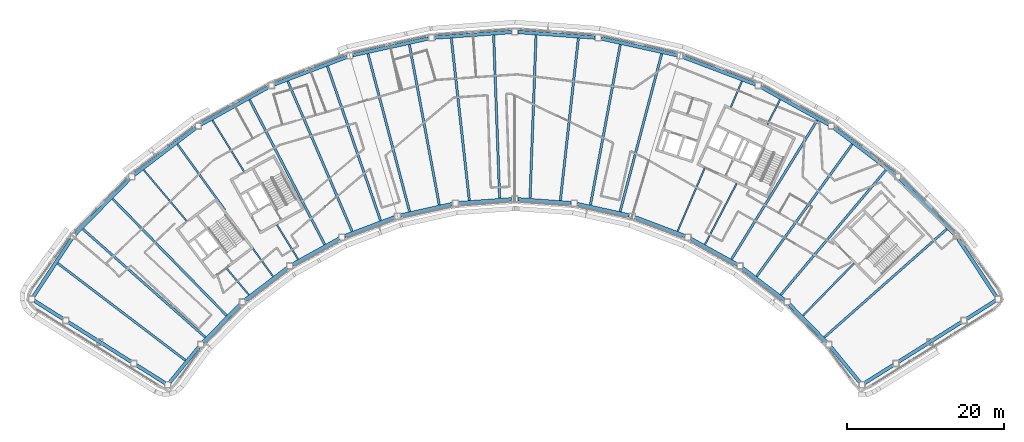
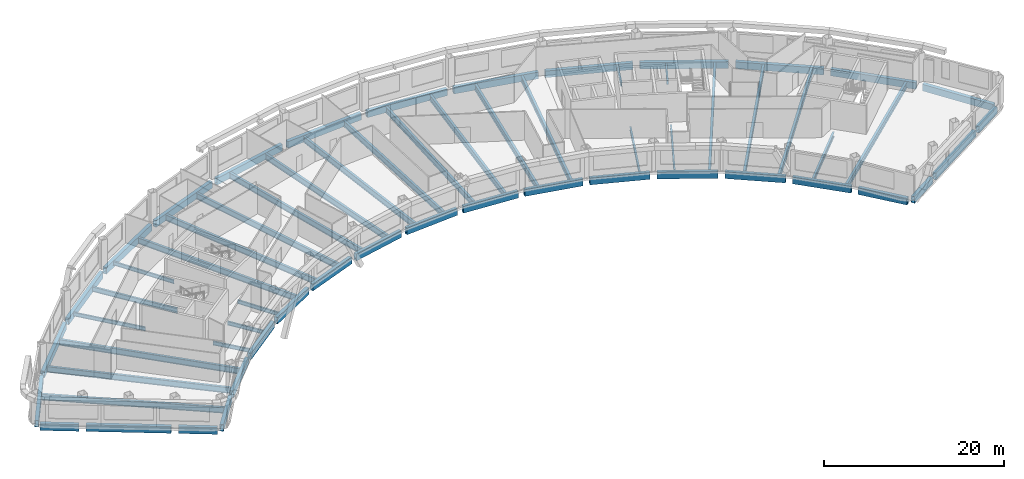
# One storey, part 3 of 15: 63 beams.
"""IFC4 building model written with IfcOpenShell, lengths in metres."""

from ifc_helpers import new_model, si_unit, direction, frame, origin, origin_2d, place, context, subcontext, project, spatial, hollow_rectangle, i_section, extrude, material, material_profile, profile_set, type_object, element, save


model = new_model("IFC4")

# Units and contexts
model_context = context("Model", 3, precision=1e-05, world=origin(), true_north=direction((0.0, 1.0)))
body_context = subcontext(model_context, "Body", "Model", "MODEL_VIEW")
ifc_project = project(units=[si_unit("LENGTHUNIT", "METRE"), si_unit("AREAUNIT", "SQUARE_METRE"), si_unit("VOLUMEUNIT", "CUBIC_METRE"), si_unit("PLANEANGLEUNIT", "RADIAN"), si_unit("MASSUNIT", "GRAM", prefix="KILO")], contexts=[model_context])

# Site, building, storey
site_placement = place(None, origin())
site = spatial("IfcSite", under=ifc_project, at=site_placement, CompositionType="ELEMENT")
building_placement = place(site_placement, origin())
building = spatial("IfcBuilding", under=site, at=building_placement, Name="Tuul Gate Civic Tower", CompositionType="ELEMENT")
storey_placement = place(building_placement, frame((0.0, 0.0, 332.300048828125)))
storey = spatial("IfcBuildingStorey", under=building, at=storey_placement, Name="Level 75", CompositionType="ELEMENT", Elevation=332.300048828125)

# Beams
ifc_material_1 = material(Name="Steel S355", Category="steel")
ifc_material_profile_1 = material_profile(ifc_material_1, i_section(OverallWidth=0.199951171875, OverallDepth=0.5, WebThickness=0.010009765625, FlangeThickness=0.01611328125, at=origin_2d()), Name="PG500x200x10x16")
ifc_profile_set_1 = profile_set([ifc_material_profile_1], Name="Steel S355")
beam_type_1 = type_object("IfcBeamType", Name="STR-FLOOR BEAM-PG500x200x10x16", PredefinedType="BEAM", material=ifc_profile_set_1)
beam_1_placement = place(storey_placement, frame((26.463134765625, -13.32080078125, -0.550048828125), z_axis=(0.460782795667, 0.887512938056, 0.0), x_axis=(-0.887512938056, 0.460782795667, 0.0)))
element("IfcBeam", 1, at=beam_1_placement, inside=storey, type_object=beam_type_1, Name="Floor beam", PredefinedType="BEAM", context=body_context, shape_type="SweptSolid", body=[
    extrude(i_section(OverallWidth=0.199951171875, OverallDepth=0.5, WebThickness=0.010009765625, FlangeThickness=0.01611328125, at=origin_2d()), origin(), (0.0, 0.0, 1.0), 8.768310546875),
])
beam_2_placement = place(storey_placement, frame((34.423583984375, 2.01220703125, -0.550048828125), z_axis=(0.460793282306, 0.887507493479, 0.0), x_axis=(-0.887507493479, 0.460793282306, 0.0)))
element("IfcBeam", 2, at=beam_2_placement, inside=storey, type_object=beam_type_1, Name="Floor beam", PredefinedType="BEAM", context=body_context, shape_type="SweptSolid", body=[
    extrude(i_section(OverallWidth=0.199951171875, OverallDepth=0.5, WebThickness=0.010009765625, FlangeThickness=0.01611328125, at=origin_2d()), origin(), (0.0, 0.0, 1.0), 3.53173828125),
])
beam_3_placement = place(storey_placement, frame((22.968505859375, -11.633056640625, -0.550048828125), z_axis=(0.394179708817, 0.91903338196, 0.0), x_axis=(-0.91903338196, 0.394179708817, 0.0)))
element("IfcBeam", 3, at=beam_3_placement, inside=storey, type_object=beam_type_1, Name="Floor beam", PredefinedType="BEAM", context=body_context, shape_type="SweptSolid", body=[
    extrude(i_section(OverallWidth=0.199951171875, OverallDepth=0.5, WebThickness=0.010009765625, FlangeThickness=0.01611328125, at=origin_2d()), origin(), (0.0, 0.0, 1.0), 8.7119140625),
])
beam_4_placement = place(storey_placement, frame((29.7548828125, 4.189208984375, -0.550048828125), z_axis=(0.394262656624, 0.918997800646, 0.0), x_axis=(-0.918997800646, 0.394262656624, 0.0)))
element("IfcBeam", 4, at=beam_4_placement, inside=storey, type_object=beam_type_1, Name="Floor beam", PredefinedType="BEAM", context=body_context, shape_type="SweptSolid", body=[
    extrude(i_section(OverallWidth=0.199951171875, OverallDepth=0.5, WebThickness=0.010009765625, FlangeThickness=0.01611328125, at=origin_2d()), origin(), (0.0, 0.0, 1.0), 3.60400390625),
])
beam_5_placement = place(storey_placement, frame((-25.47412109375, -15.2021484375, -0.550048828125), z_axis=(-0.524854989159, 0.851191659002, 0.0), x_axis=(-0.851191659002, -0.524854989159, 0.0)))
element("IfcBeam", 5, at=beam_5_placement, inside=storey, type_object=beam_type_1, Name="Floor beam", PredefinedType="BEAM", context=body_context, shape_type="SweptSolid", body=[
    extrude(i_section(OverallWidth=0.199951171875, OverallDepth=0.5, WebThickness=0.010009765625, FlangeThickness=0.01611328125, at=origin_2d()), origin(), (0.0, 0.0, 1.0), 5.1591796875),
])
beam_6_placement = place(storey_placement, frame((-32.385009765625, -3.993896484375, -0.550048828125), z_axis=(-0.524857120658, 0.851190344691, 0.0), x_axis=(-0.851190344691, -0.524857120658, 0.0)))
element("IfcBeam", 6, at=beam_6_placement, inside=storey, type_object=beam_type_1, Name="Floor beam", PredefinedType="BEAM", context=body_context, shape_type="SweptSolid", body=[
    extrude(i_section(OverallWidth=0.199951171875, OverallDepth=0.5, WebThickness=0.010009765625, FlangeThickness=0.01611328125, at=origin_2d()), origin(), (0.0, 0.0, 1.0), 7.654052734375),
])
beam_7_placement = place(storey_placement, frame((-28.677734375, -17.393310546875, -0.550048828125), z_axis=(-0.586074177431, 0.81025740265, 0.0), x_axis=(-0.81025740265, -0.586074177431, 0.0)))
element("IfcBeam", 7, at=beam_7_placement, inside=storey, type_object=beam_type_1, Name="Floor beam", PredefinedType="BEAM", context=body_context, shape_type="SweptSolid", body=[
    extrude(i_section(OverallWidth=0.199951171875, OverallDepth=0.5, WebThickness=0.010009765625, FlangeThickness=0.01611328125, at=origin_2d()), origin(), (0.0, 0.0, 1.0), 4.33642578125),
])
beam_8_placement = place(storey_placement, frame((-31.765869140625, -19.74462890625, -0.550048828125), z_axis=(-0.64417038831, 0.764882024122, 0.0), x_axis=(-0.764882024122, -0.64417038831, 0.0)))
element("IfcBeam", 8, at=beam_8_placement, inside=storey, type_object=beam_type_1, Name="Floor beam", PredefinedType="BEAM", context=body_context, shape_type="SweptSolid", body=[
    extrude(i_section(OverallWidth=0.199951171875, OverallDepth=0.5, WebThickness=0.010009765625, FlangeThickness=0.01611328125, at=origin_2d()), origin(), (0.0, 0.0, 1.0), 4.34033203125),
])
beam_9_placement = place(storey_placement, frame((-39.720703125, -10.298095703125, -0.550048828125), z_axis=(-0.644145503575, 0.764902980923, 0.0), x_axis=(-0.764902980923, -0.644145503575, 0.0)))
element("IfcBeam", 9, at=beam_9_placement, inside=storey, type_object=beam_type_1, Name="Floor beam", PredefinedType="BEAM", context=body_context, shape_type="SweptSolid", body=[
    extrude(i_section(OverallWidth=0.199951171875, OverallDepth=0.5, WebThickness=0.010009765625, FlangeThickness=0.01611328125, at=origin_2d()), origin(), (0.0, 0.0, 1.0), 8.47509765625),
])
ifc_material_2 = material(Name="Steel S355", Category="steel")
ifc_material_profile_2 = material_profile(ifc_material_2, i_section(OverallWidth=0.25, OverallDepth=0.64990234375, WebThickness=0.011962890625, FlangeThickness=0.02001953125, at=origin_2d()), Name="PG650x250x12x20")
ifc_profile_set_2 = profile_set([ifc_material_profile_2], Name="Steel S355")
beam_type_2 = type_object("IfcBeamType", Name="STR-FLOOR BEAM-PG650x250x12x20", PredefinedType="BEAM", material=ifc_profile_set_2)
beam_10_placement = place(storey_placement, frame((38.990234375, -22.390380859375, -0.625), z_axis=(0.698674470128, 0.715439714296, 0.0), x_axis=(-0.715439714296, 0.698674470128, 0.0)))
element("IfcBeam", 10, at=beam_10_placement, inside=storey, type_object=beam_type_2, Name="Floor beam", PredefinedType="BEAM", context=body_context, shape_type="SweptSolid", body=[
    extrude(i_section(OverallWidth=0.25, OverallDepth=0.64990234375, WebThickness=0.011962890625, FlangeThickness=0.02001953125, at=origin_2d()), origin(), (0.0, 0.0, 1.0), 9.290771484375),
])
beam_11_placement = place(storey_placement, frame((-34.799560546875, -8.9296875, -0.625), z_axis=(-0.586091808988, 0.810244649126, 0.0), x_axis=(-0.810244649126, -0.586091808988, 0.0)))
element("IfcBeam", 11, at=beam_11_placement, inside=storey, type_object=beam_type_2, Name="Floor beam", PredefinedType="BEAM", context=body_context, shape_type="SweptSolid", body=[
    extrude(i_section(OverallWidth=0.25, OverallDepth=0.64990234375, WebThickness=0.011962890625, FlangeThickness=0.02001953125, at=origin_2d()), origin(), (0.0, 0.0, 1.0), 10.360107421875),
])
ifc_material_3 = material(Name="Steel S355", Category="steel")
ifc_material_profile_3 = material_profile(ifc_material_3, i_section(OverallWidth=0.300048828125, OverallDepth=0.800048828125, WebThickness=0.013916015625, FlangeThickness=0.02490234375, at=origin_2d()), Name="PG800x300x14x25")
ifc_profile_set_3 = profile_set([ifc_material_profile_3], Name="Steel S355")
beam_type_3 = type_object("IfcBeamType", Name="STR-FLOOR BEAM-PG800x300x14x25", PredefinedType="BEAM", material=ifc_profile_set_3)
beam_12_placement = place(storey_placement, frame((41.707275390625, -25.16259765625, -0.699951171875), z_axis=(0.749453243269, 0.662057275584, 0.0), x_axis=(-0.662057275584, 0.749453243269, 0.0)))
element("IfcBeam", 12, at=beam_12_placement, inside=storey, type_object=beam_type_3, Name="Floor beam", PredefinedType="BEAM", context=body_context, shape_type="SweptSolid", body=[
    extrude(i_section(OverallWidth=0.300048828125, OverallDepth=0.800048828125, WebThickness=0.013916015625, FlangeThickness=0.02490234375, at=origin_2d()), origin(), (0.0, 0.0, 1.0), 20.828369140625),
])
beam_13_placement = place(storey_placement, frame((36.14990234375, -19.74462890625, -0.699951171875), z_axis=(0.644135745783, 0.764911198117, 0.0), x_axis=(-0.764911198117, 0.644135745783, 0.0)))
element("IfcBeam", 13, at=beam_13_placement, inside=storey, type_object=beam_type_3, Name="Floor beam", PredefinedType="BEAM", context=body_context, shape_type="SweptSolid", body=[
    extrude(i_section(OverallWidth=0.300048828125, OverallDepth=0.800048828125, WebThickness=0.013916015625, FlangeThickness=0.02490234375, at=origin_2d()), origin(), (0.0, 0.0, 1.0), 20.824951171875),
])
beam_14_placement = place(storey_placement, frame((33.061767578125, -17.393310546875, -0.699951171875), z_axis=(0.586073074744, 0.810258200242, 0.0), x_axis=(-0.810258200242, 0.586073074744, 0.0)))
element("IfcBeam", 14, at=beam_14_placement, inside=storey, type_object=beam_type_3, Name="Floor beam", PredefinedType="BEAM", context=body_context, shape_type="SweptSolid", body=[
    extrude(i_section(OverallWidth=0.300048828125, OverallDepth=0.800048828125, WebThickness=0.013916015625, FlangeThickness=0.02490234375, at=origin_2d()), origin(), (0.0, 0.0, 1.0), 20.8056640625),
])
beam_15_placement = place(storey_placement, frame((29.858154296875, -15.2021484375, -0.699951171875), z_axis=(0.524846935925, 0.85119662467, 0.0), x_axis=(-0.85119662467, 0.524846935925, 0.0)))
element("IfcBeam", 15, at=beam_15_placement, inside=storey, type_object=beam_type_3, Name="Floor beam", PredefinedType="BEAM", context=body_context, shape_type="SweptSolid", body=[
    extrude(i_section(OverallWidth=0.300048828125, OverallDepth=0.800048828125, WebThickness=0.013916015625, FlangeThickness=0.02490234375, at=origin_2d()), origin(), (0.0, 0.0, 1.0), 20.82177734375),
])
beam_16_placement = place(storey_placement, frame((15.630615234375, -9.11328125, -0.699951171875), z_axis=(0.255002430405, 0.966940412067, 0.0), x_axis=(-0.966940412067, 0.255002430405, 0.0)))
element("IfcBeam", 16, at=beam_16_placement, inside=storey, type_object=beam_type_3, Name="Floor beam", PredefinedType="BEAM", context=body_context, shape_type="SweptSolid", body=[
    extrude(i_section(OverallWidth=0.300048828125, OverallDepth=0.800048828125, WebThickness=0.013916015625, FlangeThickness=0.02490234375, at=origin_2d()), origin(), (0.0, 0.0, 1.0), 20.81689453125),
])
beam_17_placement = place(storey_placement, frame((11.84033203125, -8.2783203125, -0.699951171875), z_axis=(0.183149454547, 0.983085081414, 0.0), x_axis=(-0.983085081414, 0.183149454547, 0.0)))
element("IfcBeam", 17, at=beam_17_placement, inside=storey, type_object=beam_type_3, Name="Floor beam", PredefinedType="BEAM", context=body_context, shape_type="SweptSolid", body=[
    extrude(i_section(OverallWidth=0.300048828125, OverallDepth=0.800048828125, WebThickness=0.013916015625, FlangeThickness=0.02490234375, at=origin_2d()), origin(), (0.0, 0.0, 1.0), 20.81103515625),
])
beam_18_placement = place(storey_placement, frame((8.003173828125, -7.69873046875, -0.699951171875), z_axis=(0.110286058964, 0.993899886909, 0.0), x_axis=(-0.993899886909, 0.110286058964, 0.0)))
element("IfcBeam", 18, at=beam_18_placement, inside=storey, type_object=beam_type_3, Name="Floor beam", PredefinedType="BEAM", context=body_context, shape_type="SweptSolid", body=[
    extrude(i_section(OverallWidth=0.300048828125, OverallDepth=0.800048828125, WebThickness=0.013916015625, FlangeThickness=0.02490234375, at=origin_2d()), origin(), (0.0, 0.0, 1.0), 20.8154296875),
])
for number, where, z_axis, x_axis, name in (
    (19, (4.13232421875, -7.41796875, -0.699951171875), (0.036832478792, 0.999321454041, 0.0), (-0.999321454041, 0.036832478792, 0.0), "Floor beam"),
    (20, (0.251708984375, -7.41796875, -0.699951171875), (-0.036832478792, 0.999321454041, 0.0), (-0.999321454041, -0.036832478792, 0.0), "Floor beam"),
):
    element("IfcBeam", number, at=place(storey_placement, frame(where, z_axis=z_axis, x_axis=x_axis)), inside=storey, type_object=beam_type_3, Name=name, PredefinedType="BEAM", context=body_context, shape_type="SweptSolid", body=[
        extrude(i_section(OverallWidth=0.300048828125, OverallDepth=0.800048828125, WebThickness=0.013916015625, FlangeThickness=0.02490234375, at=origin_2d()), origin(), (0.0, 0.0, 1.0), 20.813232421875),
    ])
beam_19_placement = place(storey_placement, frame((-3.619140625, -7.69873046875, -0.699951171875), z_axis=(-0.110286058964, 0.993899886909, 0.0), x_axis=(-0.993899886909, -0.110286058964, 0.0)))
element("IfcBeam", 21, at=beam_19_placement, inside=storey, type_object=beam_type_3, Name="Floor beam", PredefinedType="BEAM", context=body_context, shape_type="SweptSolid", body=[
    extrude(i_section(OverallWidth=0.300048828125, OverallDepth=0.800048828125, WebThickness=0.013916015625, FlangeThickness=0.02490234375, at=origin_2d()), origin(), (0.0, 0.0, 1.0), 20.8154296875),
])
beam_20_placement = place(storey_placement, frame((-7.45654296875, -8.2783203125, -0.699951171875), z_axis=(-0.183138116697, 0.983087193596, 0.0), x_axis=(-0.983087193596, -0.183138116697, 0.0)))
element("IfcBeam", 22, at=beam_20_placement, inside=storey, type_object=beam_type_3, Name="Floor beam", PredefinedType="BEAM", context=body_context, shape_type="SweptSolid", body=[
    extrude(i_section(OverallWidth=0.300048828125, OverallDepth=0.800048828125, WebThickness=0.013916015625, FlangeThickness=0.02490234375, at=origin_2d()), origin(), (0.0, 0.0, 1.0), 20.81103515625),
])
beam_21_placement = place(storey_placement, frame((-11.24658203125, -9.11328125, -0.699951171875), z_axis=(-0.255002430405, 0.966940412067, 0.0), x_axis=(-0.966940412067, -0.255002430405, 0.0)))
element("IfcBeam", 23, at=beam_21_placement, inside=storey, type_object=beam_type_3, Name="Floor beam", PredefinedType="BEAM", context=body_context, shape_type="SweptSolid", body=[
    extrude(i_section(OverallWidth=0.300048828125, OverallDepth=0.800048828125, WebThickness=0.013916015625, FlangeThickness=0.02490234375, at=origin_2d()), origin(), (0.0, 0.0, 1.0), 20.81689453125),
])
beam_22_placement = place(storey_placement, frame((-14.954345703125, -10.259765625, -0.699951171875), z_axis=(-0.325483706592, 0.945547649113, 0.0), x_axis=(-0.945547649113, -0.325483706592, 0.0)))
element("IfcBeam", 24, at=beam_22_placement, inside=storey, type_object=beam_type_3, Name="Floor beam", PredefinedType="BEAM", context=body_context, shape_type="SweptSolid", body=[
    extrude(i_section(OverallWidth=0.300048828125, OverallDepth=0.800048828125, WebThickness=0.013916015625, FlangeThickness=0.02490234375, at=origin_2d()), origin(), (0.0, 0.0, 1.0), 20.808837890625),
])
beam_23_placement = place(storey_placement, frame((-18.58447265625, -11.633056640625, -0.699951171875), z_axis=(-0.39419807985, 0.919025502281, 0.0), x_axis=(-0.919025502281, -0.39419807985, 0.0)))
element("IfcBeam", 25, at=beam_23_placement, inside=storey, type_object=beam_type_3, Name="Floor beam", PredefinedType="BEAM", context=body_context, shape_type="SweptSolid", body=[
    extrude(i_section(OverallWidth=0.300048828125, OverallDepth=0.800048828125, WebThickness=0.013916015625, FlangeThickness=0.02490234375, at=origin_2d()), origin(), (0.0, 0.0, 1.0), 20.820068359375),
])
beam_24_placement = place(storey_placement, frame((-22.079345703125, -13.32080078125, -0.699951171875), z_axis=(-0.46076746296, 0.887520898389, 0.0), x_axis=(-0.887520898389, -0.46076746296, 0.0)))
element("IfcBeam", 26, at=beam_24_placement, inside=storey, type_object=beam_type_3, Name="Floor beam", PredefinedType="BEAM", context=body_context, shape_type="SweptSolid", body=[
    extrude(i_section(OverallWidth=0.300048828125, OverallDepth=0.800048828125, WebThickness=0.013916015625, FlangeThickness=0.02490234375, at=origin_2d()), origin(), (0.0, 0.0, 1.0), 20.80810546875),
])
beam_25_placement = place(storey_placement, frame((-34.606201171875, -22.390380859375, -0.699951171875), z_axis=(-0.698678629993, 0.715435651888, 0.0), x_axis=(-0.715435651888, -0.698678629993, 0.0)))
element("IfcBeam", 27, at=beam_25_placement, inside=storey, type_object=beam_type_3, Name="Floor beam", PredefinedType="BEAM", context=body_context, shape_type="SweptSolid", body=[
    extrude(i_section(OverallWidth=0.300048828125, OverallDepth=0.800048828125, WebThickness=0.013916015625, FlangeThickness=0.02490234375, at=origin_2d()), origin(), (0.0, 0.0, 1.0), 20.80517578125),
])
beam_26_placement = place(storey_placement, frame((-37.3232421875, -25.16259765625, -0.699951171875), z_axis=(-0.749453243269, 0.662057275584, 0.0), x_axis=(-0.662057275584, -0.749453243269, 0.0)))
element("IfcBeam", 28, at=beam_26_placement, inside=storey, type_object=beam_type_3, Name="Floor beam", PredefinedType="BEAM", context=body_context, shape_type="SweptSolid", body=[
    extrude(i_section(OverallWidth=0.300048828125, OverallDepth=0.800048828125, WebThickness=0.013916015625, FlangeThickness=0.02490234375, at=origin_2d()), origin(), (0.0, 0.0, 1.0), 20.828369140625),
])
beam_27_placement = place(storey_placement, frame((-39.8623046875, -28.107421875, -0.699951171875), z_axis=(-0.796145180606, 0.605105653087, 0.0), x_axis=(-0.605105653087, -0.796145180606, 0.0)))
element("IfcBeam", 29, at=beam_27_placement, inside=storey, type_object=beam_type_3, Name="Floor beam", PredefinedType="BEAM", context=body_context, shape_type="SweptSolid", body=[
    extrude(i_section(OverallWidth=0.300048828125, OverallDepth=0.800048828125, WebThickness=0.013916015625, FlangeThickness=0.02490234375, at=origin_2d()), origin(), (0.0, 0.0, 1.0), 20.462646484375),
])
ifc_material_4 = material(Name="Steel S355", Category="steel")
ifc_material_profile_4 = material_profile(ifc_material_4, hollow_rectangle(XDim=0.449951171875, YDim=0.89990234375, WallThickness=0.02490234375, at=origin_2d()), Name="BOX900x450x25")
ifc_profile_set_4 = profile_set([ifc_material_profile_4], Name="Steel S355")
beam_type_4 = type_object("IfcBeamType", Name="STR-SPANDREL BEAM-BOX900x450x25", PredefinedType="BEAM", material=ifc_profile_set_4)
beam_28_placement = place(storey_placement, frame((63.642333984375, -19.96630859375, -0.75), z_axis=(-0.551644580762, 0.834079286708, 0.0), x_axis=(-0.834079286708, -0.551644580762, 0.0)))
element("IfcBeam", 30, at=beam_28_placement, inside=storey, type_object=beam_type_4, Name="Spandrel beam", PredefinedType="BEAM", context=body_context, shape_type="SweptSolid", body=[
    extrude(hollow_rectangle(XDim=0.449951171875, YDim=0.89990234375, WallThickness=0.02490234375, at=origin_2d()), origin(), (0.0, 0.0, 1.0), 8.805908203125),
])
beam_29_placement = place(storey_placement, frame((58.283935546875, -12.00244140625, -0.75), z_axis=(-0.699989605726, 0.714153031132, 0.0), x_axis=(-0.714153031132, -0.699989605726, 0.0)))
element("IfcBeam", 31, at=beam_29_placement, inside=storey, type_object=beam_type_4, Name="Spandrel beam", PredefinedType="BEAM", context=body_context, shape_type="SweptSolid", body=[
    extrude(hollow_rectangle(XDim=0.449951171875, YDim=0.89990234375, WallThickness=0.02490234375, at=origin_2d()), origin(), (0.0, 0.0, 1.0), 9.876953125),
])
beam_30_placement = place(storey_placement, frame((50.771728515625, -4.420654296875, -0.75), z_axis=(-0.795660881085, 0.605742323361, 0.0), x_axis=(-0.605742323361, -0.795660881085, 0.0)))
element("IfcBeam", 32, at=beam_30_placement, inside=storey, type_object=beam_type_4, Name="Spandrel beam", PredefinedType="BEAM", context=body_context, shape_type="SweptSolid", body=[
    extrude(hollow_rectangle(XDim=0.449951171875, YDim=0.89990234375, WallThickness=0.02490234375, at=origin_2d()), origin(), (0.0, 0.0, 1.0), 9.877685546875),
])
beam_31_placement = place(storey_placement, frame((42.244140625, 1.9990234375, -0.75), z_axis=(-0.874589490657, 0.484864128218, 0.0), x_axis=(-0.484864128218, -0.874589490657, 0.0)))
element("IfcBeam", 33, at=beam_31_placement, inside=storey, type_object=beam_type_4, Name="Spandrel beam", PredefinedType="BEAM", context=body_context, shape_type="SweptSolid", body=[
    extrude(hollow_rectangle(XDim=0.449951171875, YDim=0.89990234375, WallThickness=0.02490234375, at=origin_2d()), origin(), (0.0, 0.0, 1.0), 9.877197265625),
])
beam_32_placement = place(storey_placement, frame((32.8818359375, 7.12353515625, -0.75), z_axis=(-0.935381084373, 0.353641381907, 0.0), x_axis=(-0.353641381907, -0.935381084373, 0.0)))
element("IfcBeam", 34, at=beam_32_placement, inside=storey, type_object=beam_type_4, Name="Spandrel beam", PredefinedType="BEAM", context=body_context, shape_type="SweptSolid", body=[
    extrude(hollow_rectangle(XDim=0.449951171875, YDim=0.89990234375, WallThickness=0.02490234375, at=origin_2d()), origin(), (0.0, 0.0, 1.0), 9.876953125),
])
beam_33_placement = place(storey_placement, frame((22.87841796875, 10.843994140625, -0.75), z_axis=(-0.976565880984, 0.215218679716, 0.0), x_axis=(-0.215218679716, -0.976565880984, 0.0)))
element("IfcBeam", 35, at=beam_33_placement, inside=storey, type_object=beam_type_4, Name="Spandrel beam", PredefinedType="BEAM", context=body_context, shape_type="SweptSolid", body=[
    extrude(hollow_rectangle(XDim=0.449951171875, YDim=0.89990234375, WallThickness=0.02490234375, at=origin_2d()), origin(), (0.0, 0.0, 1.0), 9.878173828125),
])
for number, where, z_axis, x_axis, name in (
    (36, (12.442138671875, 13.0849609375, -0.75), (-0.99738285886, 0.07230098791, 0.0), (-0.07230098791, -0.99738285886, 0.0), "Spandrel beam"),
    (37, (1.79296875, 13.799072265625, -0.75), (-0.99738285886, -0.07230098791, 0.0), (0.07230098791, -0.99738285886, 0.0), "Spandrel beam"),
):
    element("IfcBeam", number, at=place(storey_placement, frame(where, z_axis=z_axis, x_axis=x_axis)), inside=storey, type_object=beam_type_4, Name=name, PredefinedType="BEAM", context=body_context, shape_type="SweptSolid", body=[
        extrude(hollow_rectangle(XDim=0.449951171875, YDim=0.89990234375, WallThickness=0.02490234375, at=origin_2d()), origin(), (0.0, 0.0, 1.0), 9.876953125),
    ])
beam_34_placement = place(storey_placement, frame((-8.84765625, 12.969970703125, -0.75), z_axis=(-0.976565880984, -0.215218679716, 0.0), x_axis=(0.215218679716, -0.976565880984, 0.0)))
element("IfcBeam", 38, at=beam_34_placement, inside=storey, type_object=beam_type_4, Name="Spandrel beam", PredefinedType="BEAM", context=body_context, shape_type="SweptSolid", body=[
    extrude(hollow_rectangle(XDim=0.449951171875, YDim=0.89990234375, WallThickness=0.02490234375, at=origin_2d()), origin(), (0.0, 0.0, 1.0), 9.878173828125),
])
for number, where, z_axis, x_axis, name in (
    (39, (-19.259033203125, 10.616455078125, -0.75), (-0.935381084373, -0.353641381907, 0.0), (0.353641381907, -0.935381084373, 0.0), "Spandrel beam"),
    (40, (-29.221923828125, 6.7880859375, -0.75), (-0.874583679484, -0.484874610162, 0.0), (0.484874610162, -0.874583679484, 0.0), "Spandrel beam"),
):
    element("IfcBeam", number, at=place(storey_placement, frame(where, z_axis=z_axis, x_axis=x_axis)), inside=storey, type_object=beam_type_4, Name=name, PredefinedType="BEAM", context=body_context, shape_type="SweptSolid", body=[
        extrude(hollow_rectangle(XDim=0.449951171875, YDim=0.89990234375, WallThickness=0.02490234375, at=origin_2d()), origin(), (0.0, 0.0, 1.0), 9.876953125),
    ])
beam_35_placement = place(storey_placement, frame((-38.5283203125, 1.562744140625, -0.75), z_axis=(-0.795660881085, -0.605742323361, 0.0), x_axis=(0.605742323361, -0.795660881085, 0.0)))
element("IfcBeam", 41, at=beam_35_placement, inside=storey, type_object=beam_type_4, Name="Spandrel beam", PredefinedType="BEAM", context=body_context, shape_type="SweptSolid", body=[
    extrude(hollow_rectangle(XDim=0.449951171875, YDim=0.89990234375, WallThickness=0.02490234375, at=origin_2d()), origin(), (0.0, 0.0, 1.0), 9.877685546875),
])
beam_36_placement = place(storey_placement, frame((-46.986083984375, -4.94873046875, -0.75), z_axis=(-0.699989605726, -0.714153031132, 0.0), x_axis=(0.714153031132, -0.699989605726, 0.0)))
element("IfcBeam", 42, at=beam_36_placement, inside=storey, type_object=beam_type_4, Name="Spandrel beam", PredefinedType="BEAM", context=body_context, shape_type="SweptSolid", body=[
    extrude(hollow_rectangle(XDim=0.449951171875, YDim=0.89990234375, WallThickness=0.02490234375, at=origin_2d()), origin(), (0.0, 0.0, 1.0), 9.876953125),
])
beam_37_placement = place(storey_placement, frame((-54.400634765625, -12.62158203125, -0.75), z_axis=(-0.551644580762, -0.834079286708, 0.0), x_axis=(0.834079286708, -0.551644580762, 0.0)))
element("IfcBeam", 43, at=beam_37_placement, inside=storey, type_object=beam_type_4, Name="Spandrel beam", PredefinedType="BEAM", context=body_context, shape_type="SweptSolid", body=[
    extrude(hollow_rectangle(XDim=0.449951171875, YDim=0.89990234375, WallThickness=0.02490234375, at=origin_2d()), origin(), (0.0, 0.0, 1.0), 8.805908203125),
])
beam_38_placement = place(storey_placement, frame((-59.140625, -20.51318359375, -0.75), z_axis=(0.846211196037, -0.532847643985, 0.0), x_axis=(0.532847643985, 0.846211196037, 0.0)))
element("IfcBeam", 44, at=beam_38_placement, inside=storey, type_object=beam_type_4, Name="Spandrel beam", PredefinedType="BEAM", context=body_context, shape_type="SweptSolid", body=[
    extrude(hollow_rectangle(XDim=0.449951171875, YDim=0.89990234375, WallThickness=0.02490234375, at=origin_2d()), origin(), (0.0, 0.0, 1.0), 4.33251953125),
])
beam_39_placement = place(storey_placement, frame((-54.797607421875, -23.248046875, -0.75), z_axis=(0.84620354352, -0.532859796695, 0.0), x_axis=(0.532859796695, 0.84620354352, 0.0)))
element("IfcBeam", 45, at=beam_39_placement, inside=storey, type_object=beam_type_4, Name="Spandrel beam", PredefinedType="BEAM", context=body_context, shape_type="SweptSolid", body=[
    extrude(hollow_rectangle(XDim=0.449951171875, YDim=0.89990234375, WallThickness=0.02490234375, at=origin_2d()), origin(), (0.0, 0.0, 1.0), 9.463623046875),
])
beam_40_placement = place(storey_placement, frame((-46.112548828125, -28.71728515625, -0.75), z_axis=(0.84613117079, -0.532974710298, 0.0), x_axis=(0.532974710298, 0.84613117079, 0.0)))
element("IfcBeam", 46, at=beam_40_placement, inside=storey, type_object=beam_type_4, Name="Spandrel beam", PredefinedType="BEAM", context=body_context, shape_type="SweptSolid", body=[
    extrude(hollow_rectangle(XDim=0.449951171875, YDim=0.89990234375, WallThickness=0.02490234375, at=origin_2d()), origin(), (0.0, 0.0, 1.0), 4.33154296875),
])
beam_41_placement = place(storey_placement, frame((-41.855224609375, -30.9296875, -0.75), z_axis=(0.634404835744, 0.773000973081, 0.0), x_axis=(-0.773000973081, 0.634404835744, 0.0)))
element("IfcBeam", 47, at=beam_41_placement, inside=storey, type_object=beam_type_4, Name="Spandrel beam", PredefinedType="BEAM", context=body_context, shape_type="SweptSolid", body=[
    extrude(hollow_rectangle(XDim=0.449951171875, YDim=0.89990234375, WallThickness=0.02490234375, at=origin_2d()), origin(), (0.0, 0.0, 1.0), 5.851806640625),
])
beam_42_placement = place(storey_placement, frame((-37.609130859375, -25.811279296875, -0.75), z_axis=(0.699971853877, 0.714170430485, 0.0), x_axis=(-0.714170430485, 0.699971853877, 0.0)))
element("IfcBeam", 48, at=beam_42_placement, inside=storey, type_object=beam_type_4, Name="Spandrel beam", PredefinedType="BEAM", context=body_context, shape_type="SweptSolid", body=[
    extrude(hollow_rectangle(XDim=0.449951171875, YDim=0.89990234375, WallThickness=0.02490234375, at=origin_2d()), origin(), (0.0, 0.0, 1.0), 6.7919921875),
])
for number, where, z_axis, x_axis, name in (
    (49, (-32.2568359375, -20.4326171875, -0.75), (0.795626424775, 0.605787580098, 0.0), (-0.605787580098, 0.795626424775, 0.0), "Spandrel beam"),
    (50, (-26.18505859375, -15.882080078125, -0.75), (0.87464856826, 0.484757549751, 0.0), (-0.484757549751, 0.87464856826, 0.0), "Spandrel beam"),
):
    element("IfcBeam", number, at=place(storey_placement, frame(where, z_axis=z_axis, x_axis=x_axis)), inside=storey, type_object=beam_type_4, Name=name, PredefinedType="BEAM", context=body_context, shape_type="SweptSolid", body=[
        extrude(hollow_rectangle(XDim=0.449951171875, YDim=0.89990234375, WallThickness=0.02490234375, at=origin_2d()), origin(), (0.0, 0.0, 1.0), 6.79150390625),
    ])
beam_43_placement = place(storey_placement, frame((-19.520751953125, -12.25439453125, -0.75), z_axis=(0.935326768609, 0.353785013707, 0.0), x_axis=(-0.353785013707, 0.935326768609, 0.0)))
element("IfcBeam", 51, at=beam_43_placement, inside=storey, type_object=beam_type_4, Name="Spandrel beam", PredefinedType="BEAM", context=body_context, shape_type="SweptSolid", body=[
    extrude(hollow_rectangle(XDim=0.449951171875, YDim=0.89990234375, WallThickness=0.02490234375, at=origin_2d()), origin(), (0.0, 0.0, 1.0), 6.791748046875),
])
beam_44_placement = place(storey_placement, frame((-12.4033203125, -9.6240234375, -0.75), z_axis=(0.976589670026, 0.215110707308, 0.0), x_axis=(-0.215110707308, 0.976589670026, 0.0)))
element("IfcBeam", 52, at=beam_44_placement, inside=storey, type_object=beam_type_4, Name="Spandrel beam", PredefinedType="BEAM", context=body_context, shape_type="SweptSolid", body=[
    extrude(hollow_rectangle(XDim=0.449951171875, YDim=0.89990234375, WallThickness=0.02490234375, at=origin_2d()), origin(), (0.0, 0.0, 1.0), 6.79150390625),
])
for number, where, z_axis, x_axis, name in (
    (53, (-4.98095703125, -8.048095703125, -0.75), (0.997381114382, 0.072325048733, 0.0), (-0.072325048733, 0.997381114382, 0.0), "Spandrel beam"),
    (54, (2.591064453125, -7.556884765625, -0.75), (0.997381114382, -0.072325048733, 0.0), (0.072325048733, 0.997381114382, 0.0), "Spandrel beam"),
    (55, (10.154541015625, -8.1630859375, -0.75), (0.97659133333, -0.215103155869, 0.0), (0.215103155869, 0.97659133333, 0.0), "Spandrel beam"),
    (56, (17.55224609375, -9.8515625, -0.75), (0.935326768609, -0.353785013707, 0.0), (0.353785013707, 0.935326768609, 0.0), "Spandrel beam"),
):
    element("IfcBeam", number, at=place(storey_placement, frame(where, z_axis=z_axis, x_axis=x_axis)), inside=storey, type_object=beam_type_4, Name=name, PredefinedType="BEAM", context=body_context, shape_type="SweptSolid", body=[
        extrude(hollow_rectangle(XDim=0.449951171875, YDim=0.89990234375, WallThickness=0.02490234375, at=origin_2d()), origin(), (0.0, 0.0, 1.0), 6.791748046875),
    ])
for number, where, z_axis, x_axis, name in (
    (57, (24.62890625, -12.58984375, -0.75), (0.87464856826, -0.484757549751, 0.0), (0.484757549751, 0.87464856826, 0.0), "Spandrel beam"),
    (58, (31.2373046875, -16.318359375, -0.75), (0.795626424775, -0.605787580098, 0.0), (0.605787580098, 0.795626424775, 0.0), "Spandrel beam"),
):
    element("IfcBeam", number, at=place(storey_placement, frame(where, z_axis=z_axis, x_axis=x_axis)), inside=storey, type_object=beam_type_4, Name=name, PredefinedType="BEAM", context=body_context, shape_type="SweptSolid", body=[
        extrude(hollow_rectangle(XDim=0.449951171875, YDim=0.89990234375, WallThickness=0.02490234375, at=origin_2d()), origin(), (0.0, 0.0, 1.0), 6.79150390625),
    ])
beam_45_placement = place(storey_placement, frame((37.239013671875, -20.960693359375, -0.75), z_axis=(0.69995351943, -0.71418839996, 0.0), x_axis=(0.71418839996, 0.69995351943, 0.0)))
element("IfcBeam", 59, at=beam_45_placement, inside=storey, type_object=beam_type_4, Name="Spandrel beam", PredefinedType="BEAM", context=body_context, shape_type="SweptSolid", body=[
    extrude(hollow_rectangle(XDim=0.449951171875, YDim=0.89990234375, WallThickness=0.02490234375, at=origin_2d()), origin(), (0.0, 0.0, 1.0), 6.791748046875),
])
beam_46_placement = place(storey_placement, frame((42.52685546875, -26.40625, -0.75), z_axis=(0.634404835744, -0.773000973081, 0.0), x_axis=(0.773000973081, 0.634404835744, 0.0)))
element("IfcBeam", 60, at=beam_46_placement, inside=storey, type_object=beam_type_4, Name="Spandrel beam", PredefinedType="BEAM", context=body_context, shape_type="SweptSolid", body=[
    extrude(hollow_rectangle(XDim=0.449951171875, YDim=0.89990234375, WallThickness=0.02490234375, at=origin_2d()), origin(), (0.0, 0.0, 1.0), 5.851806640625),
])
beam_47_placement = place(storey_placement, frame((46.83154296875, -31.02587890625, -0.75), z_axis=(0.84613117079, 0.532974710298, 0.0), x_axis=(-0.532974710298, 0.84613117079, 0.0)))
element("IfcBeam", 61, at=beam_47_placement, inside=storey, type_object=beam_type_4, Name="Spandrel beam", PredefinedType="BEAM", context=body_context, shape_type="SweptSolid", body=[
    extrude(hollow_rectangle(XDim=0.449951171875, YDim=0.89990234375, WallThickness=0.02490234375, at=origin_2d()), origin(), (0.0, 0.0, 1.0), 4.33154296875),
])
beam_48_placement = place(storey_placement, frame((51.173583984375, -28.290771484375, -0.75), z_axis=(0.84620354352, 0.532859796695, 0.0), x_axis=(-0.532859796695, 0.84620354352, 0.0)))
element("IfcBeam", 62, at=beam_48_placement, inside=storey, type_object=beam_type_4, Name="Spandrel beam", PredefinedType="BEAM", context=body_context, shape_type="SweptSolid", body=[
    extrude(hollow_rectangle(XDim=0.449951171875, YDim=0.89990234375, WallThickness=0.02490234375, at=origin_2d()), origin(), (0.0, 0.0, 1.0), 9.463623046875),
])
beam_49_placement = place(storey_placement, frame((59.8583984375, -22.82177734375, -0.75), z_axis=(0.846195195567, 0.532873053362, 0.0), x_axis=(-0.532873053362, 0.846195195567, 0.0)))
element("IfcBeam", 63, at=beam_49_placement, inside=storey, type_object=beam_type_4, Name="Spandrel beam", PredefinedType="BEAM", context=body_context, shape_type="SweptSolid", body=[
    extrude(hollow_rectangle(XDim=0.449951171875, YDim=0.89990234375, WallThickness=0.02490234375, at=origin_2d()), origin(), (0.0, 0.0, 1.0), 4.332275390625),
])

save(model, "model.ifc")
